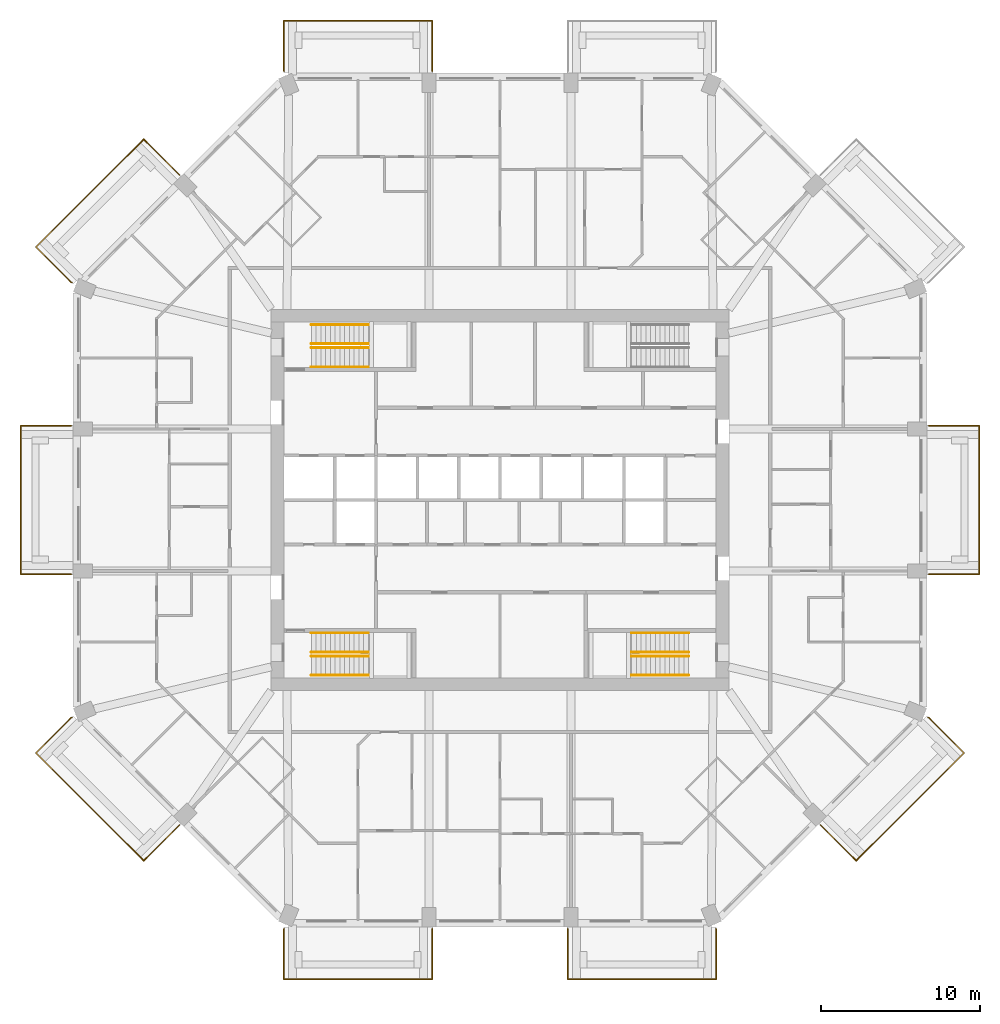
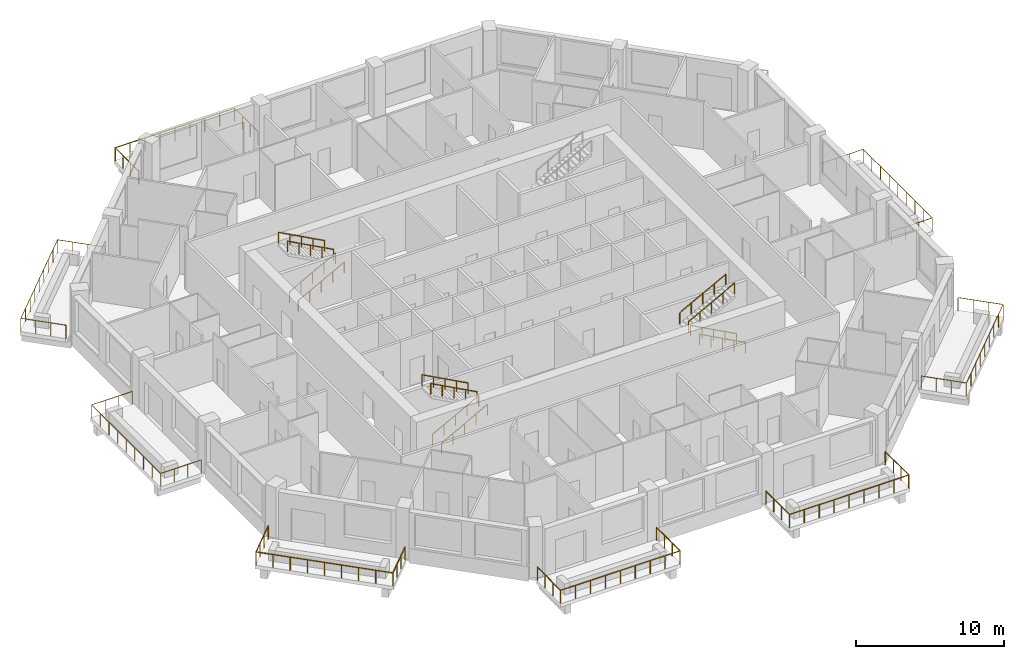
# One storey, part 12 of 13: 20 railings.
"""IFC4 building model written with IfcOpenShell, lengths in metres."""

import ifcopenshell
import ifcopenshell.guid

model = None  # the IFC model being written
_history = None  # IfcOwnerHistory: only IFC2X3 demands one
_inside = {}  # id of a spatial element -> (the spatial element, [elements in it])
_under = {}  # id of a project, library or spatial element -> (it, [spatial elements below it])
_declared = {}  # id of a project -> (the project, [libraries it declares])
_typed = {}  # id of a type object -> (the type object, [elements of that type])
_made_of = {}  # id of a material, layer set ... -> (it, [elements and type objects made of it])


def new_model(schema):
    """Start an empty IFC model of exactly this schema.

    Asked for "IFC4X3", IfcOpenShell would pick the latest addendum, in which some entities
    have other attributes; the version numbers below select the first issue.
    IFC2X3 requires an IfcOwnerHistory on every rooted entity: one is made here for all.
    """
    global model, _history
    if schema == "IFC4X3":
        model = ifcopenshell.file(schema_version=(4, 3, 0, 0))
    else:
        model = ifcopenshell.file(schema=schema)
    _inside.clear()
    _under.clear()
    _declared.clear()
    _typed.clear()
    _made_of.clear()
    _history = None
    if model.schema == "IFC2X3":
        org = make("IfcOrganization", Name="unknown")
        user = make(
            "IfcPersonAndOrganization",
            ThePerson=make("IfcPerson", FamilyName="unknown"),
            TheOrganization=org,
        )
        app = make(
            "IfcApplication",
            ApplicationDeveloper=org,
            Version="unknown",
            ApplicationFullName="unknown",
            ApplicationIdentifier="unknown",
        )
        _history = make(
            "IfcOwnerHistory",
            OwningUser=user,
            OwningApplication=app,
            ChangeAction="ADDED",
            CreationDate=0,
        )
    return model


def make(cls, **values):
    """One entity of the class cls with the attributes given. An attribute that is None is left unset."""
    return model.create_entity(
        cls, **{name: value for name, value in values.items() if value is not None}
    )


def rooted(cls, **values):
    """An entity with a GlobalId (a new one), such as an element, a storey or a relation."""
    return make(cls, GlobalId=ifcopenshell.guid.new(), OwnerHistory=_history, **values)


def si_unit(unit_type, name, prefix=None):
    """IfcSIUnit, for example si_unit("LENGTHUNIT", "METRE", prefix="MILLI")."""
    return make("IfcSIUnit", UnitType=unit_type, Prefix=prefix, Name=name)


def assignment(units):
    """IfcUnitAssignment: the units of a project."""
    return None if units is None else make("IfcUnitAssignment", Units=units)


def point(xyz):
    """IfcCartesianPoint."""
    return None if xyz is None else make("IfcCartesianPoint", Coordinates=xyz)


def direction(xyz):
    """IfcDirection."""
    return None if xyz is None else make("IfcDirection", DirectionRatios=xyz)


def frame(location, z_axis=None, x_axis=None):
    """IfcAxis2Placement3D, a coordinate frame: its origin and axes. An axis left out is left unset."""
    return make(
        "IfcAxis2Placement3D",
        Location=point(location),
        Axis=direction(z_axis),
        RefDirection=direction(x_axis),
    )


def frame_2d(location, x_axis=None):
    """IfcAxis2Placement2D, a coordinate frame in the plane: its origin and x axis."""
    return make(
        "IfcAxis2Placement2D", Location=point(location), RefDirection=direction(x_axis)
    )


def origin():
    """The frame at (0, 0, 0) with its axes left unset."""
    return frame((0.0, 0.0, 0.0))


def origin_2d():
    """The frame at (0, 0) in the plane with its x axis left unset."""
    return frame_2d((0.0, 0.0))


def place(relative_to, where):
    """IfcLocalPlacement: puts the frame where relative to a parent placement (None: the world)."""
    return make(
        "IfcLocalPlacement", PlacementRelTo=relative_to, RelativePlacement=where
    )


def context(
    kind, dimensions, precision=None, world=None, true_north=None, identifier=None
):
    """IfcGeometricRepresentationContext, for example the 3D "Model" context."""
    return make(
        "IfcGeometricRepresentationContext",
        ContextIdentifier=identifier,
        ContextType=kind,
        CoordinateSpaceDimension=dimensions,
        Precision=precision,
        WorldCoordinateSystem=world,
        TrueNorth=true_north,
    )


def subcontext(parent, identifier, kind, view, scale=None):
    """IfcGeometricRepresentationSubContext, for example "Body" below "Model"."""
    return make(
        "IfcGeometricRepresentationSubContext",
        ContextIdentifier=identifier,
        ContextType=kind,
        ParentContext=parent,
        TargetScale=scale,
        TargetView=view,
    )


def project(units=None, contexts=None):
    """IfcProject with its units and contexts."""
    return rooted(
        "IfcProject",
        Name="project",
        RepresentationContexts=contexts,
        UnitsInContext=assignment(units),
    )


def spatial(cls, under=None, at=None, **own):
    """A site, building, storey or space (cls), placed at a placement, below another one or the project."""
    s = rooted(cls, ObjectPlacement=at, **own)
    if under is not None:
        _under.setdefault(under.id(), (under, []))[1].append(s)
    return s


def profile(cls, at=None, kind="AREA", **sizes):
    """A parametric profile (cls). Its sizes go by their IFC names, for example OverallWidth=200.0."""
    return make(cls, ProfileType=kind, Position=at, **sizes)


def circle(**sizes):
    """IfcCircleProfileDef."""
    return profile("IfcCircleProfileDef", **sizes)


def extrude(swept, where, along, depth):
    """IfcExtrudedAreaSolid: the profile swept, set in the frame where, extruded along a direction by depth."""
    return make(
        "IfcExtrudedAreaSolid",
        SweptArea=swept,
        Position=where,
        ExtrudedDirection=direction(along),
        Depth=depth,
    )


def shape(context_of_items, identifier, shape_type, items):
    """IfcShapeRepresentation: the items that make up one representation, for example the "Body"."""
    return make(
        "IfcShapeRepresentation",
        ContextOfItems=context_of_items,
        RepresentationIdentifier=identifier,
        RepresentationType=shape_type,
        Items=items,
    )


def material(Name=None, Category=None):
    """IfcMaterial."""
    return make("IfcMaterial", Name=Name, Category=Category)


def constituent(of_material, Name=None, Category=None, fraction=None):
    """IfcMaterialConstituent: one of the materials an element consists of."""
    return make(
        "IfcMaterialConstituent",
        Name=Name,
        Material=of_material,
        Fraction=fraction,
        Category=Category,
    )


def constituent_set(constituents=None, Name=None):
    """IfcMaterialConstituentSet."""
    return make(
        "IfcMaterialConstituentSet", Name=Name, MaterialConstituents=constituents
    )


def made_of(thing, what):
    """Note that an element or type object is made of a material, layer set ...; save() writes the relation."""
    if what is not None:
        _made_of.setdefault(what.id(), (what, []))[1].append(thing)
    return thing


def type_object(cls, material=None, **own):
    """A type object (cls), such as IfcWallType, which elements share."""
    return made_of(rooted(cls, **own), material)


def element(
    cls,
    number,
    at=None,
    inside=None,
    cuts=None,
    type_object=None,
    material=None,
    context=None,
    identifier="Body",
    shape_type=None,
    held_by="IfcProductDefinitionShape",
    body=None,
    shapes=None,
    **own,
):
    """One element of the class cls, such as IfcWall. Its Tag is "e" and its number.

    at: its placement. inside: the storey or other place that contains it. cuts: it is an
    opening in that element (IfcRelVoidsElement). A single representation is given by context,
    identifier, shape_type and body (its items); several are given by shapes. held_by: the class
    of the entity that holds the representations. save() writes the other relations.
    """
    e = rooted(cls, Tag="e%d" % number, ObjectPlacement=at, **own)
    if body is not None:
        shapes = [shape(context, identifier, shape_type, body)]
    if shapes is not None:
        e.Representation = make(held_by, Representations=shapes)
    if inside is not None:
        _inside.setdefault(inside.id(), (inside, []))[1].append(e)
    if cuts is not None:
        rooted(
            "IfcRelVoidsElement", RelatingBuildingElement=cuts, RelatedOpeningElement=e
        )
    if type_object is not None:
        _typed.setdefault(type_object.id(), (type_object, []))[1].append(e)
    return made_of(e, material)


def aggregate(whole, parts):
    """IfcRelAggregates: a whole, such as a stair, and the parts it consists of."""
    return rooted("IfcRelAggregates", RelatingObject=whole, RelatedObjects=parts)


def save(model, path):
    """Write the relations noted so far, then the file.

    IfcRelAggregates (storeys below a building ...), IfcRelContainedInSpatialStructure (elements
    in a storey), IfcRelDefinesByType, IfcRelAssociatesMaterial and IfcRelDeclares: one each for
    every whole, place, type object, material and project.
    """
    for whole, parts in _under.values():
        aggregate(whole, parts)
    for where, things in _inside.values():
        rooted(
            "IfcRelContainedInSpatialStructure",
            RelatedElements=things,
            RelatingStructure=where,
        )
    for kind, things in _typed.values():
        rooted("IfcRelDefinesByType", RelatedObjects=things, RelatingType=kind)
    for what, things in _made_of.values():
        rooted("IfcRelAssociatesMaterial", RelatedObjects=things, RelatingMaterial=what)
    for by, libraries in _declared.values():
        rooted("IfcRelDeclares", RelatingContext=by, RelatedDefinitions=libraries)
    model.write(path)


model = new_model("IFC4")

# Units and contexts
model_context = context("Model", 3, precision=1e-05, world=origin(), true_north=direction((0.0, 1.0)))
body_context = subcontext(model_context, "Body", "Model", "MODEL_VIEW")
ifc_project = project(units=[si_unit("LENGTHUNIT", "METRE"), si_unit("AREAUNIT", "SQUARE_METRE"), si_unit("VOLUMEUNIT", "CUBIC_METRE"), si_unit("PLANEANGLEUNIT", "RADIAN"), si_unit("MASSUNIT", "GRAM", prefix="KILO")], contexts=[model_context])

# Site, building, storey
site_placement = place(None, origin())
site = spatial("IfcSite", under=ifc_project, at=site_placement, CompositionType="ELEMENT")
building_placement = place(site_placement, origin())
building = spatial("IfcBuilding", under=site, at=building_placement, Name="Msitu Wima Residences", CompositionType="ELEMENT")
storey_placement = place(building_placement, frame((0.0, 0.0, 110.699951171875)))
storey = spatial("IfcBuildingStorey", under=building, at=storey_placement, Name="L25", CompositionType="ELEMENT", Elevation=110.699951171875)

# Railings
ifc_material_1 = material(Name="Steel S355", Category="steel")
ifc_constituent_1 = constituent(ifc_material_1, Name="Steel S355")
ifc_material_2 = material(Name="Weathering patina")
ifc_constituent_2 = constituent(ifc_material_2, Name="Weathering patina")
ifc_constituent_set_1 = constituent_set(constituents=[ifc_constituent_1, ifc_constituent_2], Name="Steel S355")
railing_type_1 = type_object("IfcRailingType", Name="Balcony guard GR1100", PredefinedType="GUARDRAIL", material=ifc_constituent_set_1)
railing_1_placement = place(storey_placement, frame((26.97998046875, 4.668701171875, 0.0)))
element("IfcRailing", 1, at=railing_1_placement, inside=storey, type_object=railing_type_1, Name="Balcony guard E1 L25", PredefinedType="GUARDRAIL", context=body_context, shape_type="SweptSolid", body=[
    extrude(circle(Radius=0.02392578125, at=origin_2d()), frame((0.0, 0.0, 1.076171875), z_axis=(1.0, 0.0, 0.0), x_axis=(0.0, 1.0, 0.0)), (0.0, 0.0, 1.0), 3.169921875),
    extrude(circle(Radius=0.02392578125, at=origin_2d()), frame((3.169921875, 0.0, 1.076171875), z_axis=(0.0, -1.0, 0.0), x_axis=(1.0, 0.0, 0.0)), (0.0, 0.0, 1.0), 9.33740234375),
    extrude(circle(Radius=0.02392578125, at=origin_2d()), frame((3.169921875, -9.33740234375, 1.076171875), z_axis=(-1.0, 0.0, 0.0), x_axis=(0.0, -1.0, 0.0)), (0.0, 0.0, 1.0), 3.169921875),
    extrude(circle(Radius=0.02099609375, at=origin_2d()), origin(), (0.0, 0.0, 1.0), 1.052001953125),
    extrude(circle(Radius=0.02099609375, at=origin_2d()), frame((1.056640625, 0.0, 0.0)), (0.0, 0.0, 1.0), 1.052001953125),
    extrude(circle(Radius=0.02099609375, at=origin_2d()), frame((2.11328125, 0.0, 0.0)), (0.0, 0.0, 1.0), 1.052001953125),
    extrude(circle(Radius=0.02099609375, at=origin_2d()), frame((3.169921875, 0.0, 0.0)), (0.0, 0.0, 1.0), 1.052001953125),
    extrude(circle(Radius=0.02099609375, at=origin_2d()), frame((3.169921875, -1.167236328125, 0.0)), (0.0, 0.0, 1.0), 1.052001953125),
    extrude(circle(Radius=0.02099609375, at=origin_2d()), frame((3.169921875, -2.33447265625, 0.0)), (0.0, 0.0, 1.0), 1.052001953125),
    extrude(circle(Radius=0.02099609375, at=origin_2d()), frame((3.169921875, -3.50146484375, 0.0)), (0.0, 0.0, 1.0), 1.052001953125),
    extrude(circle(Radius=0.02099609375, at=origin_2d()), frame((3.169921875, -4.668701171875, 0.0)), (0.0, 0.0, 1.0), 1.052001953125),
    extrude(circle(Radius=0.02099609375, at=origin_2d()), frame((3.169921875, -5.8359375, 0.0)), (0.0, 0.0, 1.0), 1.052001953125),
    extrude(circle(Radius=0.02099609375, at=origin_2d()), frame((3.169921875, -7.0029296875, 0.0)), (0.0, 0.0, 1.0), 1.052001953125),
    extrude(circle(Radius=0.02099609375, at=origin_2d()), frame((3.169921875, -8.170166015625, 0.0)), (0.0, 0.0, 1.0), 1.052001953125),
    extrude(circle(Radius=0.02099609375, at=origin_2d()), frame((3.169921875, -9.33740234375, 0.0)), (0.0, 0.0, 1.0), 1.052001953125),
    extrude(circle(Radius=0.02099609375, at=origin_2d()), frame((2.11328125, -9.33740234375, 0.0)), (0.0, 0.0, 1.0), 1.052001953125),
    extrude(circle(Radius=0.02099609375, at=origin_2d()), frame((1.056640625, -9.33740234375, 0.0)), (0.0, 0.0, 1.0), 1.052001953125),
    extrude(circle(Radius=0.02099609375, at=origin_2d()), frame((0.0, -9.33740234375, 0.0)), (0.0, 0.0, 1.0), 1.052001953125),
])
railing_2_placement = place(storey_placement, frame((-13.592041015625, 26.97998046875, 0.0)))
element("IfcRailing", 2, at=railing_2_placement, inside=storey, type_object=railing_type_1, Name="Balcony guard N2 L25", PredefinedType="GUARDRAIL", context=body_context, shape_type="SweptSolid", body=[
    extrude(circle(Radius=0.02392578125, at=origin_2d()), frame((0.0, 0.0, 1.076171875), z_axis=(-0.384136806859, 0.923276184907, 0.0), x_axis=(-0.923276184907, -0.384136806859, 0.0)), (0.0, 0.0, 1.0), 0.0361328125),
    extrude(circle(Radius=0.02392578125, at=origin_2d()), frame((-0.013916015625, 0.033447265625, 1.076171875), z_axis=(0.0, 1.0, 0.0), x_axis=(-1.0, 0.0, 0.0)), (0.0, 0.0, 1.0), 3.136474609375),
    extrude(circle(Radius=0.02392578125, at=origin_2d()), frame((-0.013916015625, 3.169921875, 1.076171875), z_axis=(1.0, 0.0, 0.0), x_axis=(0.0, 1.0, 0.0)), (0.0, 0.0, 1.0), 9.33740234375),
    extrude(circle(Radius=0.02392578125, at=origin_2d()), frame((9.323486328125, 3.169921875, 1.076171875), z_axis=(0.0, -1.0, 0.0), x_axis=(1.0, 0.0, 0.0)), (0.0, 0.0, 1.0), 3.169921875),
    extrude(circle(Radius=0.02099609375, at=origin_2d()), origin(), (0.0, 0.0, 1.0), 1.052001953125),
    extrude(circle(Radius=0.02099609375, at=origin_2d()), frame((-0.013916015625, 0.033447265625, 0.0)), (0.0, 0.0, 1.0), 1.052001953125),
    extrude(circle(Radius=0.02099609375, at=origin_2d()), frame((-0.013916015625, 1.078857421875, 0.0)), (0.0, 0.0, 1.0), 1.052001953125),
    extrude(circle(Radius=0.02099609375, at=origin_2d()), frame((-0.013916015625, 2.12451171875, 0.0)), (0.0, 0.0, 1.0), 1.052001953125),
    extrude(circle(Radius=0.02099609375, at=origin_2d()), frame((-0.013916015625, 3.169921875, 0.0)), (0.0, 0.0, 1.0), 1.052001953125),
    extrude(circle(Radius=0.02099609375, at=origin_2d()), frame((1.1533203125, 3.169921875, 0.0)), (0.0, 0.0, 1.0), 1.052001953125),
    extrude(circle(Radius=0.02099609375, at=origin_2d()), frame((2.3203125, 3.169921875, 0.0)), (0.0, 0.0, 1.0), 1.052001953125),
    extrude(circle(Radius=0.02099609375, at=origin_2d()), frame((3.487548828125, 3.169921875, 0.0)), (0.0, 0.0, 1.0), 1.052001953125),
    extrude(circle(Radius=0.02099609375, at=origin_2d()), frame((4.65478515625, 3.169921875, 0.0)), (0.0, 0.0, 1.0), 1.052001953125),
    extrude(circle(Radius=0.02099609375, at=origin_2d()), frame((5.822021484375, 3.169921875, 0.0)), (0.0, 0.0, 1.0), 1.052001953125),
    extrude(circle(Radius=0.02099609375, at=origin_2d()), frame((6.9892578125, 3.169921875, 0.0)), (0.0, 0.0, 1.0), 1.052001953125),
    extrude(circle(Radius=0.02099609375, at=origin_2d()), frame((8.15625, 3.169921875, 0.0)), (0.0, 0.0, 1.0), 1.052001953125),
    extrude(circle(Radius=0.02099609375, at=origin_2d()), frame((9.323486328125, 3.169921875, 0.0)), (0.0, 0.0, 1.0), 1.052001953125),
    extrude(circle(Radius=0.02099609375, at=origin_2d()), frame((9.323486328125, 2.11328125, 0.0)), (0.0, 0.0, 1.0), 1.052001953125),
    extrude(circle(Radius=0.02099609375, at=origin_2d()), frame((9.323486328125, 1.056640625, 0.0)), (0.0, 0.0, 1.0), 1.052001953125),
    extrude(circle(Radius=0.02099609375, at=origin_2d()), frame((9.323486328125, 0.0, 0.0)), (0.0, 0.0, 1.0), 1.052001953125),
])
railing_3_placement = place(storey_placement, frame((-26.941650390625, 13.684326171875, 0.0)))
element("IfcRailing", 3, at=railing_3_placement, inside=storey, type_object=railing_type_1, Name="Balcony guard NW1 L25", PredefinedType="GUARDRAIL", context=body_context, shape_type="SweptSolid", body=[
    extrude(circle(Radius=0.02392578125, at=origin_2d()), frame((0.0, 0.0, 1.076171875), z_axis=(-0.92426142649, 0.38176015442, 0.0), x_axis=(-0.38176015442, -0.92426142649, 0.0)), (0.0, 0.0, 1.0), 0.036376953125),
    extrude(circle(Radius=0.02392578125, at=origin_2d()), frame((-0.03369140625, 0.013916015625, 1.076171875), z_axis=(-0.707106781187, 0.707106781187, 0.0), x_axis=(-0.707106781187, -0.707106781187, 0.0)), (0.0, 0.0, 1.0), 3.136474609375),
    extrude(circle(Radius=0.02392578125, at=origin_2d()), frame((-2.25146484375, 2.231689453125, 1.076171875), z_axis=(0.707106781187, 0.707106781187, 0.0), x_axis=(-0.707106781187, 0.707106781187, 0.0)), (0.0, 0.0, 1.0), 9.58837890625),
    extrude(circle(Radius=0.02392578125, at=origin_2d()), frame((4.528564453125, 9.01171875, 1.076171875), z_axis=(0.707106781187, -0.707106781187, 0.0), x_axis=(0.707106781187, 0.707106781187, 0.0)), (0.0, 0.0, 1.0), 3.169921875),
    extrude(circle(Radius=0.02099609375, at=origin_2d()), origin(), (0.0, 0.0, 1.0), 1.052001953125),
    extrude(circle(Radius=0.02099609375, at=origin_2d()), frame((-0.03369140625, 0.013916015625, 0.0)), (0.0, 0.0, 1.0), 1.052001953125),
    extrude(circle(Radius=0.02099609375, at=origin_2d()), frame((-0.77294921875, 0.753173828125, 0.0)), (0.0, 0.0, 1.0), 1.052001953125),
    extrude(circle(Radius=0.02099609375, at=origin_2d()), frame((-1.51220703125, 1.492431640625, 0.0)), (0.0, 0.0, 1.0), 1.052001953125),
    extrude(circle(Radius=0.02099609375, at=origin_2d()), frame((-2.25146484375, 2.231689453125, 0.0)), (0.0, 0.0, 1.0), 1.052001953125),
    extrude(circle(Radius=0.02099609375, at=origin_2d()), frame((-1.404052734375, 3.0791015625, 0.0)), (0.0, 0.0, 1.0), 1.052001953125),
    extrude(circle(Radius=0.02099609375, at=origin_2d()), frame((-0.556396484375, 3.9267578125, 0.0)), (0.0, 0.0, 1.0), 1.052001953125),
    extrude(circle(Radius=0.02099609375, at=origin_2d()), frame((0.291015625, 4.774169921875, 0.0)), (0.0, 0.0, 1.0), 1.052001953125),
    extrude(circle(Radius=0.02099609375, at=origin_2d()), frame((1.138671875, 5.62158203125, 0.0)), (0.0, 0.0, 1.0), 1.052001953125),
    extrude(circle(Radius=0.02099609375, at=origin_2d()), frame((1.986083984375, 6.46923828125, 0.0)), (0.0, 0.0, 1.0), 1.052001953125),
    extrude(circle(Radius=0.02099609375, at=origin_2d()), frame((2.83349609375, 7.316650390625, 0.0)), (0.0, 0.0, 1.0), 1.052001953125),
    extrude(circle(Radius=0.02099609375, at=origin_2d()), frame((3.68115234375, 8.164306640625, 0.0)), (0.0, 0.0, 1.0), 1.052001953125),
    extrude(circle(Radius=0.02099609375, at=origin_2d()), frame((4.528564453125, 9.01171875, 0.0)), (0.0, 0.0, 1.0), 1.052001953125),
    extrude(circle(Radius=0.02099609375, at=origin_2d()), frame((5.275634765625, 8.2646484375, 0.0)), (0.0, 0.0, 1.0), 1.052001953125),
    extrude(circle(Radius=0.02099609375, at=origin_2d()), frame((6.02294921875, 7.517333984375, 0.0)), (0.0, 0.0, 1.0), 1.052001953125),
    extrude(circle(Radius=0.02099609375, at=origin_2d()), frame((6.77001953125, 6.770263671875, 0.0)), (0.0, 0.0, 1.0), 1.052001953125),
])
railing_4_placement = place(storey_placement, frame((-26.97998046875, -4.668701171875, 0.0)))
element("IfcRailing", 4, at=railing_4_placement, inside=storey, type_object=railing_type_1, Name="Balcony guard W1 L25", PredefinedType="GUARDRAIL", context=body_context, shape_type="SweptSolid", body=[
    extrude(circle(Radius=0.02392578125, at=origin_2d()), frame((0.0, 0.0, 1.076171875), z_axis=(-1.0, 0.0, 0.0), x_axis=(0.0, -1.0, 0.0)), (0.0, 0.0, 1.0), 3.169921875),
    extrude(circle(Radius=0.02392578125, at=origin_2d()), frame((-3.169921875, 0.0, 1.076171875), z_axis=(0.0, 1.0, 0.0), x_axis=(-1.0, 0.0, 0.0)), (0.0, 0.0, 1.0), 9.33740234375),
    extrude(circle(Radius=0.02392578125, at=origin_2d()), frame((-3.169921875, 9.33740234375, 1.076171875), z_axis=(1.0, 0.0, 0.0), x_axis=(0.0, 1.0, 0.0)), (0.0, 0.0, 1.0), 3.169921875),
    extrude(circle(Radius=0.02099609375, at=origin_2d()), origin(), (0.0, 0.0, 1.0), 1.052001953125),
    extrude(circle(Radius=0.02099609375, at=origin_2d()), frame((-1.056640625, 0.0, 0.0)), (0.0, 0.0, 1.0), 1.052001953125),
    extrude(circle(Radius=0.02099609375, at=origin_2d()), frame((-2.11328125, 0.0, 0.0)), (0.0, 0.0, 1.0), 1.052001953125),
    extrude(circle(Radius=0.02099609375, at=origin_2d()), frame((-3.169921875, 0.0, 0.0)), (0.0, 0.0, 1.0), 1.052001953125),
    extrude(circle(Radius=0.02099609375, at=origin_2d()), frame((-3.169921875, 1.167236328125, 0.0)), (0.0, 0.0, 1.0), 1.052001953125),
    extrude(circle(Radius=0.02099609375, at=origin_2d()), frame((-3.169921875, 2.33447265625, 0.0)), (0.0, 0.0, 1.0), 1.052001953125),
    extrude(circle(Radius=0.02099609375, at=origin_2d()), frame((-3.169921875, 3.50146484375, 0.0)), (0.0, 0.0, 1.0), 1.052001953125),
    extrude(circle(Radius=0.02099609375, at=origin_2d()), frame((-3.169921875, 4.668701171875, 0.0)), (0.0, 0.0, 1.0), 1.052001953125),
    extrude(circle(Radius=0.02099609375, at=origin_2d()), frame((-3.169921875, 5.8359375, 0.0)), (0.0, 0.0, 1.0), 1.052001953125),
    extrude(circle(Radius=0.02099609375, at=origin_2d()), frame((-3.169921875, 7.0029296875, 0.0)), (0.0, 0.0, 1.0), 1.052001953125),
    extrude(circle(Radius=0.02099609375, at=origin_2d()), frame((-3.169921875, 8.170166015625, 0.0)), (0.0, 0.0, 1.0), 1.052001953125),
    extrude(circle(Radius=0.02099609375, at=origin_2d()), frame((-3.169921875, 9.33740234375, 0.0)), (0.0, 0.0, 1.0), 1.052001953125),
    extrude(circle(Radius=0.02099609375, at=origin_2d()), frame((-2.11328125, 9.33740234375, 0.0)), (0.0, 0.0, 1.0), 1.052001953125),
    extrude(circle(Radius=0.02099609375, at=origin_2d()), frame((-1.056640625, 9.33740234375, 0.0)), (0.0, 0.0, 1.0), 1.052001953125),
    extrude(circle(Radius=0.02099609375, at=origin_2d()), frame((0.0, 9.33740234375, 0.0)), (0.0, 0.0, 1.0), 1.052001953125),
])
railing_5_placement = place(storey_placement, frame((-20.171630859375, -20.45458984375, 0.0)))
element("IfcRailing", 5, at=railing_5_placement, inside=storey, type_object=railing_type_1, Name="Balcony guard SW0 L25", PredefinedType="GUARDRAIL", context=body_context, shape_type="SweptSolid", body=[
    extrude(circle(Radius=0.02392578125, at=origin_2d()), frame((0.0, 0.0, 1.076171875), z_axis=(-0.707106781187, -0.707106781187, 0.0), x_axis=(0.707106781187, -0.707106781187, 0.0)), (0.0, 0.0, 1.0), 3.169921875),
    extrude(circle(Radius=0.02392578125, at=origin_2d()), frame((-2.241455078125, -2.241455078125, 1.076171875), z_axis=(-0.707106781187, 0.707106781187, 0.0), x_axis=(-0.707106781187, -0.707106781187, 0.0)), (0.0, 0.0, 1.0), 9.58837890625),
    extrude(circle(Radius=0.02392578125, at=origin_2d()), frame((-9.021484375, 4.53857421875, 1.076171875), z_axis=(0.707106781187, 0.707106781187, 0.0), x_axis=(-0.707106781187, 0.707106781187, 0.0)), (0.0, 0.0, 1.0), 3.136474609375),
    extrude(circle(Radius=0.02392578125, at=origin_2d()), frame((-6.8037109375, 6.75634765625, 1.076171875), z_axis=(0.92426142649, 0.38176015442, 0.0), x_axis=(-0.38176015442, 0.92426142649, 0.0)), (0.0, 0.0, 1.0), 0.036376953125),
    extrude(circle(Radius=0.02099609375, at=origin_2d()), origin(), (0.0, 0.0, 1.0), 1.052001953125),
    extrude(circle(Radius=0.02099609375, at=origin_2d()), frame((-0.7470703125, -0.7470703125, 0.0)), (0.0, 0.0, 1.0), 1.052001953125),
    extrude(circle(Radius=0.02099609375, at=origin_2d()), frame((-1.494384765625, -1.494384765625, 0.0)), (0.0, 0.0, 1.0), 1.052001953125),
    extrude(circle(Radius=0.02099609375, at=origin_2d()), frame((-2.241455078125, -2.241455078125, 0.0)), (0.0, 0.0, 1.0), 1.052001953125),
    extrude(circle(Radius=0.02099609375, at=origin_2d()), frame((-3.0888671875, -1.39404296875, 0.0)), (0.0, 0.0, 1.0), 1.052001953125),
    extrude(circle(Radius=0.02099609375, at=origin_2d()), frame((-3.9365234375, -0.54638671875, 0.0)), (0.0, 0.0, 1.0), 1.052001953125),
    extrude(circle(Radius=0.02099609375, at=origin_2d()), frame((-4.783935546875, 0.301025390625, 0.0)), (0.0, 0.0, 1.0), 1.052001953125),
    extrude(circle(Radius=0.02099609375, at=origin_2d()), frame((-5.63134765625, 1.1484375, 0.0)), (0.0, 0.0, 1.0), 1.052001953125),
    extrude(circle(Radius=0.02099609375, at=origin_2d()), frame((-6.47900390625, 1.99609375, 0.0)), (0.0, 0.0, 1.0), 1.052001953125),
    extrude(circle(Radius=0.02099609375, at=origin_2d()), frame((-7.326416015625, 2.843505859375, 0.0)), (0.0, 0.0, 1.0), 1.052001953125),
    extrude(circle(Radius=0.02099609375, at=origin_2d()), frame((-8.174072265625, 3.691162109375, 0.0)), (0.0, 0.0, 1.0), 1.052001953125),
    extrude(circle(Radius=0.02099609375, at=origin_2d()), frame((-9.021484375, 4.53857421875, 0.0)), (0.0, 0.0, 1.0), 1.052001953125),
    extrude(circle(Radius=0.02099609375, at=origin_2d()), frame((-8.2822265625, 5.27783203125, 0.0)), (0.0, 0.0, 1.0), 1.052001953125),
    extrude(circle(Radius=0.02099609375, at=origin_2d()), frame((-7.54296875, 6.01708984375, 0.0)), (0.0, 0.0, 1.0), 1.052001953125),
    extrude(circle(Radius=0.02099609375, at=origin_2d()), frame((-6.8037109375, 6.75634765625, 0.0)), (0.0, 0.0, 1.0), 1.052001953125),
    extrude(circle(Radius=0.02099609375, at=origin_2d()), frame((-6.77001953125, 6.770263671875, 0.0)), (0.0, 0.0, 1.0), 1.052001953125),
])
railing_6_placement = place(storey_placement, frame((-4.2685546875, -26.97998046875, 0.0)))
element("IfcRailing", 6, at=railing_6_placement, inside=storey, type_object=railing_type_1, Name="Balcony guard S0 L25", PredefinedType="GUARDRAIL", context=body_context, shape_type="SweptSolid", body=[
    extrude(circle(Radius=0.02392578125, at=origin_2d()), frame((0.0, 0.0, 1.076171875), z_axis=(0.0, -1.0, 0.0), x_axis=(1.0, 0.0, 0.0)), (0.0, 0.0, 1.0), 3.169921875),
    extrude(circle(Radius=0.02392578125, at=origin_2d()), frame((0.0, -3.169921875, 1.076171875), z_axis=(-1.0, 0.0, 0.0), x_axis=(0.0, -1.0, 0.0)), (0.0, 0.0, 1.0), 9.33740234375),
    extrude(circle(Radius=0.02392578125, at=origin_2d()), frame((-9.33740234375, -3.169921875, 1.076171875), z_axis=(0.0, 1.0, 0.0), x_axis=(-1.0, 0.0, 0.0)), (0.0, 0.0, 1.0), 3.136474609375),
    extrude(circle(Radius=0.02392578125, at=origin_2d()), frame((-9.33740234375, -0.033447265625, 1.076171875), z_axis=(0.384136806859, 0.923276184907, 0.0), x_axis=(-0.923276184907, 0.384136806859, 0.0)), (0.0, 0.0, 1.0), 0.0361328125),
    extrude(circle(Radius=0.02099609375, at=origin_2d()), origin(), (0.0, 0.0, 1.0), 1.052001953125),
    extrude(circle(Radius=0.02099609375, at=origin_2d()), frame((0.0, -1.056640625, 0.0)), (0.0, 0.0, 1.0), 1.052001953125),
    extrude(circle(Radius=0.02099609375, at=origin_2d()), frame((0.0, -2.11328125, 0.0)), (0.0, 0.0, 1.0), 1.052001953125),
    extrude(circle(Radius=0.02099609375, at=origin_2d()), frame((0.0, -3.169921875, 0.0)), (0.0, 0.0, 1.0), 1.052001953125),
    extrude(circle(Radius=0.02099609375, at=origin_2d()), frame((-1.167236328125, -3.169921875, 0.0)), (0.0, 0.0, 1.0), 1.052001953125),
    extrude(circle(Radius=0.02099609375, at=origin_2d()), frame((-2.33447265625, -3.169921875, 0.0)), (0.0, 0.0, 1.0), 1.052001953125),
    extrude(circle(Radius=0.02099609375, at=origin_2d()), frame((-3.50146484375, -3.169921875, 0.0)), (0.0, 0.0, 1.0), 1.052001953125),
    extrude(circle(Radius=0.02099609375, at=origin_2d()), frame((-4.668701171875, -3.169921875, 0.0)), (0.0, 0.0, 1.0), 1.052001953125),
    extrude(circle(Radius=0.02099609375, at=origin_2d()), frame((-5.8359375, -3.169921875, 0.0)), (0.0, 0.0, 1.0), 1.052001953125),
    extrude(circle(Radius=0.02099609375, at=origin_2d()), frame((-7.0029296875, -3.169921875, 0.0)), (0.0, 0.0, 1.0), 1.052001953125),
    extrude(circle(Radius=0.02099609375, at=origin_2d()), frame((-8.170166015625, -3.169921875, 0.0)), (0.0, 0.0, 1.0), 1.052001953125),
    extrude(circle(Radius=0.02099609375, at=origin_2d()), frame((-9.33740234375, -3.169921875, 0.0)), (0.0, 0.0, 1.0), 1.052001953125),
    extrude(circle(Radius=0.02099609375, at=origin_2d()), frame((-9.33740234375, -2.12451171875, 0.0)), (0.0, 0.0, 1.0), 1.052001953125),
    extrude(circle(Radius=0.02099609375, at=origin_2d()), frame((-9.33740234375, -1.078857421875, 0.0)), (0.0, 0.0, 1.0), 1.052001953125),
    extrude(circle(Radius=0.02099609375, at=origin_2d()), frame((-9.33740234375, -0.033447265625, 0.0)), (0.0, 0.0, 1.0), 1.052001953125),
    extrude(circle(Radius=0.02099609375, at=origin_2d()), frame((-9.323486328125, 0.0, 0.0)), (0.0, 0.0, 1.0), 1.052001953125),
])
railing_7_placement = place(storey_placement, frame((13.592041015625, -26.97998046875, 0.0)))
element("IfcRailing", 7, at=railing_7_placement, inside=storey, type_object=railing_type_1, Name="Balcony guard S2 L25", PredefinedType="GUARDRAIL", context=body_context, shape_type="SweptSolid", body=[
    extrude(circle(Radius=0.02392578125, at=origin_2d()), frame((0.0, 0.0, 1.076171875), z_axis=(0.384136806859, -0.923276184907, 0.0), x_axis=(0.923276184907, 0.384136806859, 0.0)), (0.0, 0.0, 1.0), 0.0361328125),
    extrude(circle(Radius=0.02392578125, at=origin_2d()), frame((0.013916015625, -0.033447265625, 1.076171875), z_axis=(0.0, -1.0, 0.0), x_axis=(1.0, 0.0, 0.0)), (0.0, 0.0, 1.0), 3.136474609375),
    extrude(circle(Radius=0.02392578125, at=origin_2d()), frame((0.013916015625, -3.169921875, 1.076171875), z_axis=(-1.0, 0.0, 0.0), x_axis=(0.0, -1.0, 0.0)), (0.0, 0.0, 1.0), 9.33740234375),
    extrude(circle(Radius=0.02392578125, at=origin_2d()), frame((-9.323486328125, -3.169921875, 1.076171875), z_axis=(0.0, 1.0, 0.0), x_axis=(-1.0, 0.0, 0.0)), (0.0, 0.0, 1.0), 3.169921875),
    extrude(circle(Radius=0.02099609375, at=origin_2d()), origin(), (0.0, 0.0, 1.0), 1.052001953125),
    extrude(circle(Radius=0.02099609375, at=origin_2d()), frame((0.013916015625, -0.033447265625, 0.0)), (0.0, 0.0, 1.0), 1.052001953125),
    extrude(circle(Radius=0.02099609375, at=origin_2d()), frame((0.013916015625, -1.078857421875, 0.0)), (0.0, 0.0, 1.0), 1.052001953125),
    extrude(circle(Radius=0.02099609375, at=origin_2d()), frame((0.013916015625, -2.12451171875, 0.0)), (0.0, 0.0, 1.0), 1.052001953125),
    extrude(circle(Radius=0.02099609375, at=origin_2d()), frame((0.013916015625, -3.169921875, 0.0)), (0.0, 0.0, 1.0), 1.052001953125),
    extrude(circle(Radius=0.02099609375, at=origin_2d()), frame((-1.1533203125, -3.169921875, 0.0)), (0.0, 0.0, 1.0), 1.052001953125),
    extrude(circle(Radius=0.02099609375, at=origin_2d()), frame((-2.3203125, -3.169921875, 0.0)), (0.0, 0.0, 1.0), 1.052001953125),
    extrude(circle(Radius=0.02099609375, at=origin_2d()), frame((-3.487548828125, -3.169921875, 0.0)), (0.0, 0.0, 1.0), 1.052001953125),
    extrude(circle(Radius=0.02099609375, at=origin_2d()), frame((-4.65478515625, -3.169921875, 0.0)), (0.0, 0.0, 1.0), 1.052001953125),
    extrude(circle(Radius=0.02099609375, at=origin_2d()), frame((-5.822021484375, -3.169921875, 0.0)), (0.0, 0.0, 1.0), 1.052001953125),
    extrude(circle(Radius=0.02099609375, at=origin_2d()), frame((-6.9892578125, -3.169921875, 0.0)), (0.0, 0.0, 1.0), 1.052001953125),
    extrude(circle(Radius=0.02099609375, at=origin_2d()), frame((-8.15625, -3.169921875, 0.0)), (0.0, 0.0, 1.0), 1.052001953125),
    extrude(circle(Radius=0.02099609375, at=origin_2d()), frame((-9.323486328125, -3.169921875, 0.0)), (0.0, 0.0, 1.0), 1.052001953125),
    extrude(circle(Radius=0.02099609375, at=origin_2d()), frame((-9.323486328125, -2.11328125, 0.0)), (0.0, 0.0, 1.0), 1.052001953125),
    extrude(circle(Radius=0.02099609375, at=origin_2d()), frame((-9.323486328125, -1.056640625, 0.0)), (0.0, 0.0, 1.0), 1.052001953125),
    extrude(circle(Radius=0.02099609375, at=origin_2d()), frame((-9.323486328125, 0.0, 0.0)), (0.0, 0.0, 1.0), 1.052001953125),
])
railing_8_placement = place(storey_placement, frame((26.941650390625, -13.684326171875, 0.0)))
element("IfcRailing", 8, at=railing_8_placement, inside=storey, type_object=railing_type_1, Name="Balcony guard SE1 L25", PredefinedType="GUARDRAIL", context=body_context, shape_type="SweptSolid", body=[
    extrude(circle(Radius=0.02392578125, at=origin_2d()), frame((0.0, 0.0, 1.076171875), z_axis=(0.92426142649, -0.38176015442, 0.0), x_axis=(0.38176015442, 0.92426142649, 0.0)), (0.0, 0.0, 1.0), 0.036376953125),
    extrude(circle(Radius=0.02392578125, at=origin_2d()), frame((0.03369140625, -0.013916015625, 1.076171875), z_axis=(0.707106781187, -0.707106781187, 0.0), x_axis=(0.707106781187, 0.707106781187, 0.0)), (0.0, 0.0, 1.0), 3.136474609375),
    extrude(circle(Radius=0.02392578125, at=origin_2d()), frame((2.25146484375, -2.231689453125, 1.076171875), z_axis=(-0.707106781187, -0.707106781187, 0.0), x_axis=(0.707106781187, -0.707106781187, 0.0)), (0.0, 0.0, 1.0), 9.58837890625),
    extrude(circle(Radius=0.02392578125, at=origin_2d()), frame((-4.528564453125, -9.01171875, 1.076171875), z_axis=(-0.707106781187, 0.707106781187, 0.0), x_axis=(-0.707106781187, -0.707106781187, 0.0)), (0.0, 0.0, 1.0), 3.169921875),
    extrude(circle(Radius=0.02099609375, at=origin_2d()), origin(), (0.0, 0.0, 1.0), 1.052001953125),
    extrude(circle(Radius=0.02099609375, at=origin_2d()), frame((0.03369140625, -0.013916015625, 0.0)), (0.0, 0.0, 1.0), 1.052001953125),
    extrude(circle(Radius=0.02099609375, at=origin_2d()), frame((0.77294921875, -0.753173828125, 0.0)), (0.0, 0.0, 1.0), 1.052001953125),
    extrude(circle(Radius=0.02099609375, at=origin_2d()), frame((1.51220703125, -1.492431640625, 0.0)), (0.0, 0.0, 1.0), 1.052001953125),
    extrude(circle(Radius=0.02099609375, at=origin_2d()), frame((2.25146484375, -2.231689453125, 0.0)), (0.0, 0.0, 1.0), 1.052001953125),
    extrude(circle(Radius=0.02099609375, at=origin_2d()), frame((1.404052734375, -3.0791015625, 0.0)), (0.0, 0.0, 1.0), 1.052001953125),
    extrude(circle(Radius=0.02099609375, at=origin_2d()), frame((0.556396484375, -3.9267578125, 0.0)), (0.0, 0.0, 1.0), 1.052001953125),
    extrude(circle(Radius=0.02099609375, at=origin_2d()), frame((-0.291015625, -4.774169921875, 0.0)), (0.0, 0.0, 1.0), 1.052001953125),
    extrude(circle(Radius=0.02099609375, at=origin_2d()), frame((-1.138671875, -5.62158203125, 0.0)), (0.0, 0.0, 1.0), 1.052001953125),
    extrude(circle(Radius=0.02099609375, at=origin_2d()), frame((-1.986083984375, -6.46923828125, 0.0)), (0.0, 0.0, 1.0), 1.052001953125),
    extrude(circle(Radius=0.02099609375, at=origin_2d()), frame((-2.83349609375, -7.316650390625, 0.0)), (0.0, 0.0, 1.0), 1.052001953125),
    extrude(circle(Radius=0.02099609375, at=origin_2d()), frame((-3.68115234375, -8.164306640625, 0.0)), (0.0, 0.0, 1.0), 1.052001953125),
    extrude(circle(Radius=0.02099609375, at=origin_2d()), frame((-4.528564453125, -9.01171875, 0.0)), (0.0, 0.0, 1.0), 1.052001953125),
    extrude(circle(Radius=0.02099609375, at=origin_2d()), frame((-5.275634765625, -8.2646484375, 0.0)), (0.0, 0.0, 1.0), 1.052001953125),
    extrude(circle(Radius=0.02099609375, at=origin_2d()), frame((-6.02294921875, -7.517333984375, 0.0)), (0.0, 0.0, 1.0), 1.052001953125),
    extrude(circle(Radius=0.02099609375, at=origin_2d()), frame((-6.77001953125, -6.770263671875, 0.0)), (0.0, 0.0, 1.0), 1.052001953125),
])
ifc_constituent_3 = constituent(ifc_material_1, Name="Steel S355")
ifc_material_3 = material(Name="Black powder coating")
ifc_constituent_4 = constituent(ifc_material_3, Name="Black powder coating")
ifc_constituent_set_2 = constituent_set(constituents=[ifc_constituent_3, ifc_constituent_4], Name="Steel S355")
railing_type_2 = type_object("IfcRailingType", Name="Stair handrail HR1", PredefinedType="HANDRAIL", material=ifc_constituent_set_2)
for number, where, name in (
    (9, (-11.875, 8.375, 0.16162109375), "Stair 1 handrail"),
    (10, (-11.875, 9.574951171875, 0.16162109375), "Stair 1 handrail"),
):
    element("IfcRailing", number, at=place(storey_placement, frame(where)), inside=storey, type_object=railing_type_2, Name=name, PredefinedType="HANDRAIL", context=body_context, shape_type="SweptSolid", body=[
        extrude(circle(Radius=0.02392578125, at=origin_2d()), frame((0.0, 0.0, 0.8759765625), z_axis=(0.880474934443, 0.0, 0.474092701714), x_axis=(0.0, 1.0, 0.0)), (0.0, 0.0, 1.0), 4.0888671875),
        extrude(circle(Radius=0.02099609375, at=origin_2d()), origin(), (0.0, 0.0, 1.0), 0.851806640625),
        extrude(circle(Radius=0.02099609375, at=origin_2d()), frame((0.89990234375, 0.0, 0.484619140625)), (0.0, 0.0, 1.0), 0.851806640625),
        extrude(circle(Radius=0.02099609375, at=origin_2d()), frame((1.800048828125, 0.0, 0.96923828125)), (0.0, 0.0, 1.0), 0.851806640625),
        extrude(circle(Radius=0.02099609375, at=origin_2d()), frame((2.7001953125, 0.0, 1.453857421875)), (0.0, 0.0, 1.0), 0.851806640625),
        extrude(circle(Radius=0.02099609375, at=origin_2d()), frame((3.60009765625, 0.0, 1.9384765625)), (0.0, 0.0, 1.0), 0.851806640625),
    ])
for number, where, name in (
    (11, (-8.27490234375, 9.824951171875, 2.261474609375), "Stair 1 handrail"),
    (12, (-8.27490234375, 11.02490234375, 2.261474609375), "Stair 1 handrail"),
):
    element("IfcRailing", number, at=place(storey_placement, frame(where)), inside=storey, type_object=railing_type_2, Name=name, PredefinedType="HANDRAIL", context=body_context, shape_type="SweptSolid", body=[
        extrude(circle(Radius=0.02392578125, at=origin_2d()), frame((0.0, 0.0, 0.8759765625), z_axis=(-0.880474934443, 0.0, 0.474092701714), x_axis=(0.0, -1.0, 0.0)), (0.0, 0.0, 1.0), 4.0888671875),
        extrude(circle(Radius=0.02099609375, at=origin_2d()), origin(), (0.0, 0.0, 1.0), 0.851806640625),
        extrude(circle(Radius=0.02099609375, at=origin_2d()), frame((-0.89990234375, 0.0, 0.484619140625)), (0.0, 0.0, 1.0), 0.851806640625),
        extrude(circle(Radius=0.02099609375, at=origin_2d()), frame((-1.800048828125, 0.0, 0.96923828125)), (0.0, 0.0, 1.0), 0.851806640625),
        extrude(circle(Radius=0.02099609375, at=origin_2d()), frame((-2.7001953125, 0.0, 1.453857421875)), (0.0, 0.0, 1.0), 0.851806640625),
        extrude(circle(Radius=0.02099609375, at=origin_2d()), frame((-3.60009765625, 0.0, 1.9384765625)), (0.0, 0.0, 1.0), 0.851806640625),
    ])
for number, where, name in (
    (13, (-11.875, -11.02490234375, 0.16162109375), "Stair 2 handrail"),
    (14, (-11.875, -9.824951171875, 0.16162109375), "Stair 2 handrail"),
):
    element("IfcRailing", number, at=place(storey_placement, frame(where)), inside=storey, type_object=railing_type_2, Name=name, PredefinedType="HANDRAIL", context=body_context, shape_type="SweptSolid", body=[
        extrude(circle(Radius=0.02392578125, at=origin_2d()), frame((0.0, 0.0, 0.8759765625), z_axis=(0.880474934443, 0.0, 0.474092701714), x_axis=(0.0, 1.0, 0.0)), (0.0, 0.0, 1.0), 4.0888671875),
        extrude(circle(Radius=0.02099609375, at=origin_2d()), origin(), (0.0, 0.0, 1.0), 0.851806640625),
        extrude(circle(Radius=0.02099609375, at=origin_2d()), frame((0.89990234375, 0.0, 0.484619140625)), (0.0, 0.0, 1.0), 0.851806640625),
        extrude(circle(Radius=0.02099609375, at=origin_2d()), frame((1.800048828125, 0.0, 0.96923828125)), (0.0, 0.0, 1.0), 0.851806640625),
        extrude(circle(Radius=0.02099609375, at=origin_2d()), frame((2.7001953125, 0.0, 1.453857421875)), (0.0, 0.0, 1.0), 0.851806640625),
        extrude(circle(Radius=0.02099609375, at=origin_2d()), frame((3.60009765625, 0.0, 1.9384765625)), (0.0, 0.0, 1.0), 0.851806640625),
    ])
for number, where, name in (
    (15, (-8.27490234375, -9.574951171875, 2.261474609375), "Stair 2 handrail"),
    (16, (-8.27490234375, -8.375, 2.261474609375), "Stair 2 handrail"),
    (17, (11.875, -11.02490234375, 0.16162109375), "Stair 4 handrail"),
    (18, (11.875, -9.824951171875, 0.16162109375), "Stair 4 handrail"),
):
    element("IfcRailing", number, at=place(storey_placement, frame(where)), inside=storey, type_object=railing_type_2, Name=name, PredefinedType="HANDRAIL", context=body_context, shape_type="SweptSolid", body=[
        extrude(circle(Radius=0.02392578125, at=origin_2d()), frame((0.0, 0.0, 0.8759765625), z_axis=(-0.880474934443, 0.0, 0.474092701714), x_axis=(0.0, -1.0, 0.0)), (0.0, 0.0, 1.0), 4.0888671875),
        extrude(circle(Radius=0.02099609375, at=origin_2d()), origin(), (0.0, 0.0, 1.0), 0.851806640625),
        extrude(circle(Radius=0.02099609375, at=origin_2d()), frame((-0.89990234375, 0.0, 0.484619140625)), (0.0, 0.0, 1.0), 0.851806640625),
        extrude(circle(Radius=0.02099609375, at=origin_2d()), frame((-1.800048828125, 0.0, 0.96923828125)), (0.0, 0.0, 1.0), 0.851806640625),
        extrude(circle(Radius=0.02099609375, at=origin_2d()), frame((-2.7001953125, 0.0, 1.453857421875)), (0.0, 0.0, 1.0), 0.851806640625),
        extrude(circle(Radius=0.02099609375, at=origin_2d()), frame((-3.60009765625, 0.0, 1.9384765625)), (0.0, 0.0, 1.0), 0.851806640625),
    ])
for number, where, name in (
    (19, (8.27490234375, -9.574951171875, 2.261474609375), "Stair 4 handrail"),
    (20, (8.27490234375, -8.375, 2.261474609375), "Stair 4 handrail"),
):
    element("IfcRailing", number, at=place(storey_placement, frame(where)), inside=storey, type_object=railing_type_2, Name=name, PredefinedType="HANDRAIL", context=body_context, shape_type="SweptSolid", body=[
        extrude(circle(Radius=0.02392578125, at=origin_2d()), frame((0.0, 0.0, 0.8759765625), z_axis=(0.880474934443, 0.0, 0.474092701714), x_axis=(0.0, 1.0, 0.0)), (0.0, 0.0, 1.0), 4.0888671875),
        extrude(circle(Radius=0.02099609375, at=origin_2d()), origin(), (0.0, 0.0, 1.0), 0.851806640625),
        extrude(circle(Radius=0.02099609375, at=origin_2d()), frame((0.89990234375, 0.0, 0.484619140625)), (0.0, 0.0, 1.0), 0.851806640625),
        extrude(circle(Radius=0.02099609375, at=origin_2d()), frame((1.800048828125, 0.0, 0.96923828125)), (0.0, 0.0, 1.0), 0.851806640625),
        extrude(circle(Radius=0.02099609375, at=origin_2d()), frame((2.7001953125, 0.0, 1.453857421875)), (0.0, 0.0, 1.0), 0.851806640625),
        extrude(circle(Radius=0.02099609375, at=origin_2d()), frame((3.60009765625, 0.0, 1.9384765625)), (0.0, 0.0, 1.0), 0.851806640625),
    ])

save(model, "model.ifc")
